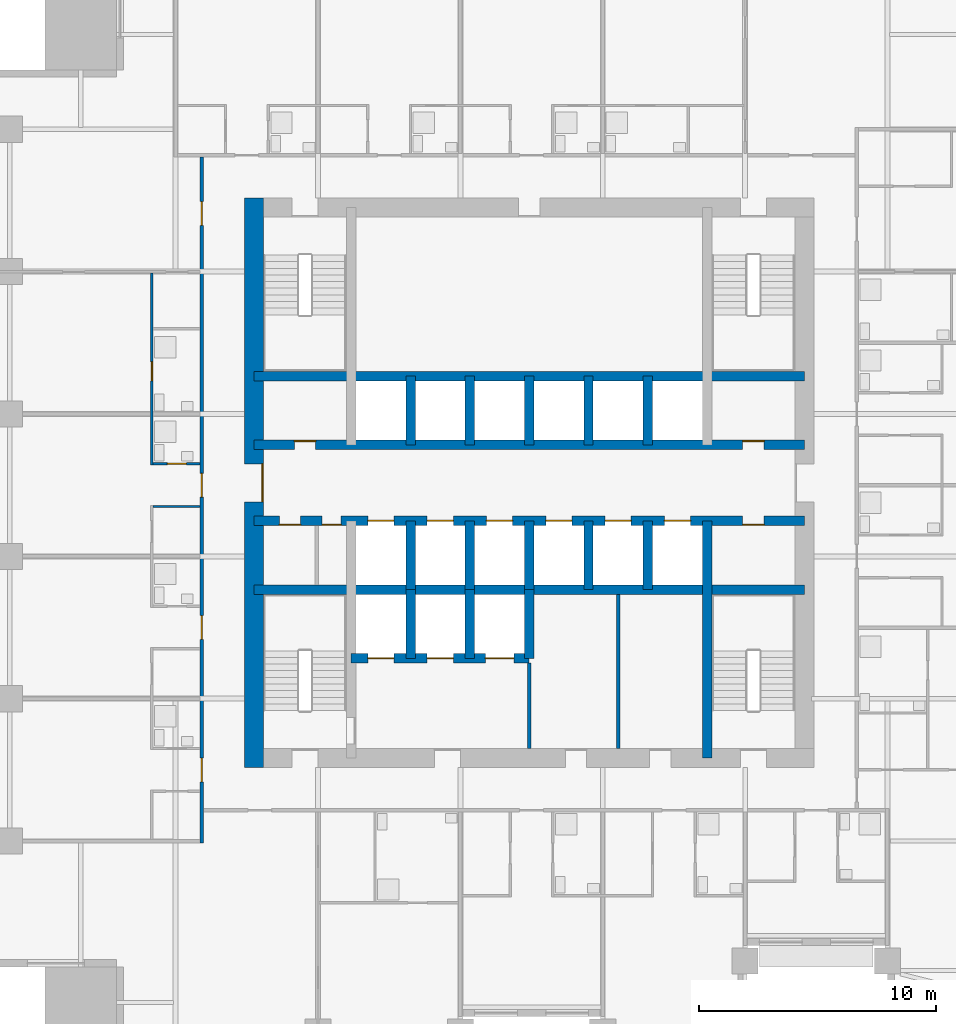
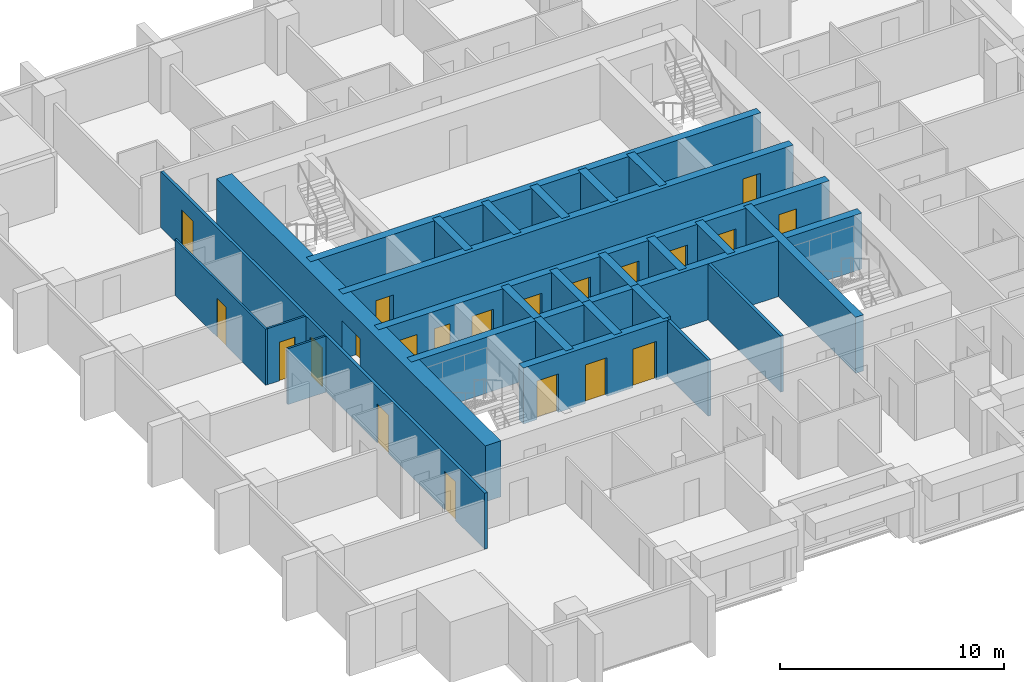
# One storey, part 5 of 11: 26 walls, 21 doors, 21 openings.
"""IFC4 building model written with IfcOpenShell, lengths in metres."""

from ifc_helpers import new_model, si_unit, direction, frame, frame_2d, origin, place, context, subcontext, project, spatial, rectangle, extrude, material, layer, layer_set, type_object, element, fill, save


model = new_model("IFC4")

# Units and contexts
model_context = context("Model", 3, precision=1e-05, world=origin(), true_north=direction((0.0, 1.0)))
body_context = subcontext(model_context, "Body", "Model", "MODEL_VIEW")
ifc_project = project(units=[si_unit("LENGTHUNIT", "METRE"), si_unit("AREAUNIT", "SQUARE_METRE"), si_unit("VOLUMEUNIT", "CUBIC_METRE"), si_unit("PLANEANGLEUNIT", "RADIAN"), si_unit("MASSUNIT", "GRAM", prefix="KILO")], contexts=[model_context])

# Site, building, storey
site_placement = place(None, origin())
site = spatial("IfcSite", under=ifc_project, at=site_placement, CompositionType="ELEMENT")
building_placement = place(site_placement, origin())
building = spatial("IfcBuilding", under=site, at=building_placement, Name="Amberfall Residences", CompositionType="ELEMENT")
storey_placement = place(building_placement, frame((0.0, 0.0, 95.199951171875)))
storey = spatial("IfcBuildingStorey", under=building, at=storey_placement, Name="L25", CompositionType="ELEMENT", Elevation=95.199951171875)

# Wall
ifc_material_1 = material(Name="Concrete C70", Category="concrete")
ifc_layer_1 = layer(ifc_material_1, 0.39990234375)
ifc_layer_set_1 = layer_set([ifc_layer_1], Name="Core wall 400 C70")
wall_type_1 = type_object("IfcWallType", Name="Core wall 400 C70", PredefinedType="SHEAR", material=ifc_layer_set_1)
wall_1_placement = place(storey_placement, frame((62.89990234375, 41.0, 0.0), z_axis=(0.0, 0.0, 1.0), x_axis=(1.0, 0.0, 0.0)))
element("IfcWall", 1, at=wall_1_placement, inside=storey, type_object=wall_type_1, Name="Core wall RW4 L25 H75", PredefinedType="SHEAR", context=body_context, shape_type="SweptSolid", body=[
    extrude(rectangle(XDim=23.2001953125, YDim=0.39990234375, at=frame_2d((11.60009765625, 0.0))), origin(), (0.0, 0.0, 1.0), 3.050048828125),
])

# Wall, openings, doors
wall_2_placement = place(storey_placement, frame((62.89990234375, 43.89990234375, 0.0), z_axis=(0.0, 0.0, 1.0), x_axis=(1.0, 0.0, 0.0)))
wall_2 = element("IfcWall", 2, at=wall_2_placement, inside=storey, type_object=wall_type_1, Name="Core wall RW4 L25 H104", PredefinedType="SHEAR", context=body_context, shape_type="SweptSolid", body=[
    extrude(rectangle(XDim=23.2001953125, YDim=0.39990234375, at=frame_2d((11.60009765625, 0.0))), origin(), (0.0, 0.0, 1.0), 3.050048828125),
])
opening_1_placement = place(wall_2_placement, frame((1.070068359375, 0.0, 0.0)))
opening_1 = element("IfcOpeningElement", 3, at=opening_1_placement, cuts=wall_2, Name="Opening RD1", PredefinedType="OPENING", context=body_context, shape_type="SweptSolid", body=[
    extrude(rectangle(XDim=0.89990234375, YDim=2.10009765625, at=frame_2d((0.449951171875, 1.050048828125))), frame((0.0, 0.2099609375, 0.0), z_axis=(0.0, -1.0, 0.0), x_axis=(1.0, 0.0, 0.0)), (0.0, 0.0, 1.0), 0.419921875),
])
opening_2_placement = place(wall_2_placement, frame((2.8701171875, 0.0, 0.0)))
opening_2 = element("IfcOpeningElement", 4, at=opening_2_placement, cuts=wall_2, Name="Opening RD2", PredefinedType="OPENING", context=body_context, shape_type="SweptSolid", body=[
    extrude(rectangle(XDim=0.800048828125, YDim=2.10009765625, at=frame_2d((0.39990234375, 1.050048828125))), frame((0.0, 0.2099609375, 0.0), z_axis=(0.0, -1.0, 0.0), x_axis=(1.0, 0.0, 0.0)), (0.0, 0.0, 1.0), 0.419921875),
])
opening_3_placement = place(wall_2_placement, frame((20.60009765625, 0.0, 0.0)))
opening_3 = element("IfcOpeningElement", 5, at=opening_3_placement, cuts=wall_2, Name="Opening RD1", PredefinedType="OPENING", context=body_context, shape_type="SweptSolid", body=[
    extrude(rectangle(XDim=0.89990234375, YDim=2.10009765625, at=frame_2d((0.449951171875, 1.050048828125))), frame((0.0, 0.2099609375, 0.0), z_axis=(0.0, -1.0, 0.0), x_axis=(1.0, 0.0, 0.0)), (0.0, 0.0, 1.0), 0.419921875),
])
opening_4_placement = place(wall_2_placement, frame((4.800048828125, 0.0, 0.0)))
opening_4 = element("IfcOpeningElement", 6, at=opening_4_placement, cuts=wall_2, Name="Opening LD1", PredefinedType="OPENING", context=body_context, shape_type="SweptSolid", body=[
    extrude(rectangle(XDim=1.10009765625, YDim=2.10009765625, at=frame_2d((0.550048828125, 1.050048828125))), frame((0.0, 0.2099609375, 0.0), z_axis=(0.0, -1.0, 0.0), x_axis=(1.0, 0.0, 0.0)), (0.0, 0.0, 1.0), 0.419921875),
])
opening_5_placement = place(wall_2_placement, frame((7.300048828125, 0.0, 0.0)))
opening_5 = element("IfcOpeningElement", 7, at=opening_5_placement, cuts=wall_2, Name="Opening LD1", PredefinedType="OPENING", context=body_context, shape_type="SweptSolid", body=[
    extrude(rectangle(XDim=1.10009765625, YDim=2.10009765625, at=frame_2d((0.550048828125, 1.050048828125))), frame((0.0, 0.2099609375, 0.0), z_axis=(0.0, -1.0, 0.0), x_axis=(1.0, 0.0, 0.0)), (0.0, 0.0, 1.0), 0.419921875),
])
opening_6_placement = place(wall_2_placement, frame((9.800048828125, 0.0, 0.0)))
opening_6 = element("IfcOpeningElement", 8, at=opening_6_placement, cuts=wall_2, Name="Opening LD1", PredefinedType="OPENING", context=body_context, shape_type="SweptSolid", body=[
    extrude(rectangle(XDim=1.10009765625, YDim=2.10009765625, at=frame_2d((0.550048828125, 1.050048828125))), frame((0.0, 0.2099609375, 0.0), z_axis=(0.0, -1.0, 0.0), x_axis=(1.0, 0.0, 0.0)), (0.0, 0.0, 1.0), 0.419921875),
])
opening_7_placement = place(wall_2_placement, frame((12.300048828125, 0.0, 0.0)))
opening_7 = element("IfcOpeningElement", 9, at=opening_7_placement, cuts=wall_2, Name="Opening LD1", PredefinedType="OPENING", context=body_context, shape_type="SweptSolid", body=[
    extrude(rectangle(XDim=1.10009765625, YDim=2.10009765625, at=frame_2d((0.550048828125, 1.050048828125))), frame((0.0, 0.2099609375, 0.0), z_axis=(0.0, -1.0, 0.0), x_axis=(1.0, 0.0, 0.0)), (0.0, 0.0, 1.0), 0.419921875),
])
opening_8_placement = place(wall_2_placement, frame((14.800048828125, 0.0, 0.0)))
opening_8 = element("IfcOpeningElement", 10, at=opening_8_placement, cuts=wall_2, Name="Opening LD1", PredefinedType="OPENING", context=body_context, shape_type="SweptSolid", body=[
    extrude(rectangle(XDim=1.10009765625, YDim=2.10009765625, at=frame_2d((0.550048828125, 1.050048828125))), frame((0.0, 0.2099609375, 0.0), z_axis=(0.0, -1.0, 0.0), x_axis=(1.0, 0.0, 0.0)), (0.0, 0.0, 1.0), 0.419921875),
])
opening_9_placement = place(wall_2_placement, frame((17.300048828125, 0.0, 0.0)))
opening_9 = element("IfcOpeningElement", 11, at=opening_9_placement, cuts=wall_2, Name="Opening LD1", PredefinedType="OPENING", context=body_context, shape_type="SweptSolid", body=[
    extrude(rectangle(XDim=1.10009765625, YDim=2.10009765625, at=frame_2d((0.550048828125, 1.050048828125))), frame((0.0, 0.2099609375, 0.0), z_axis=(0.0, -1.0, 0.0), x_axis=(1.0, 0.0, 0.0)), (0.0, 0.0, 1.0), 0.419921875),
])
ifc_material_2 = material(Name="Steel fire door set", Category="steel")
door_type_1 = type_object("IfcDoorType", Name="Lift landing door 1100 x 2100", OperationType="DOUBLE_DOOR_SLIDING", PredefinedType="DOOR", material=ifc_material_2)
door_1_placement = place(opening_4_placement, origin())
door_1 = element("IfcDoor", 12, at=door_1_placement, inside=storey, type_object=door_type_1, Name="Landing door LP1 L25", OperationType="DOUBLE_DOOR_SLIDING", OverallHeight=2.10009765625, OverallWidth=1.10009765625, PredefinedType="DOOR", context=body_context, shape_type="SweptSolid", body=[
    extrude(rectangle(XDim=1.10009765625, YDim=2.10009765625, at=frame_2d((0.550048828125, 1.050048828125))), frame((0.0, 0.02490234375, 0.0), z_axis=(0.0, -1.0, 0.0), x_axis=(1.0, 0.0, 0.0)), (0.0, 0.0, 1.0), 0.050048828125),
])
fill(opening_4, door_1)
door_2_placement = place(opening_5_placement, origin())
door_2 = element("IfcDoor", 13, at=door_2_placement, inside=storey, type_object=door_type_1, Name="Landing door LP2 L25", OperationType="DOUBLE_DOOR_SLIDING", OverallHeight=2.10009765625, OverallWidth=1.10009765625, PredefinedType="DOOR", context=body_context, shape_type="SweptSolid", body=[
    extrude(rectangle(XDim=1.10009765625, YDim=2.10009765625, at=frame_2d((0.550048828125, 1.050048828125))), frame((0.0, 0.02490234375, 0.0), z_axis=(0.0, -1.0, 0.0), x_axis=(1.0, 0.0, 0.0)), (0.0, 0.0, 1.0), 0.050048828125),
])
fill(opening_5, door_2)
door_3_placement = place(opening_6_placement, origin())
door_3 = element("IfcDoor", 14, at=door_3_placement, inside=storey, type_object=door_type_1, Name="Landing door LP3 L25", OperationType="DOUBLE_DOOR_SLIDING", OverallHeight=2.10009765625, OverallWidth=1.10009765625, PredefinedType="DOOR", context=body_context, shape_type="SweptSolid", body=[
    extrude(rectangle(XDim=1.10009765625, YDim=2.10009765625, at=frame_2d((0.550048828125, 1.050048828125))), frame((0.0, 0.02490234375, 0.0), z_axis=(0.0, -1.0, 0.0), x_axis=(1.0, 0.0, 0.0)), (0.0, 0.0, 1.0), 0.050048828125),
])
fill(opening_6, door_3)
door_4_placement = place(opening_7_placement, origin())
door_4 = element("IfcDoor", 15, at=door_4_placement, inside=storey, type_object=door_type_1, Name="Landing door LP4 L25", OperationType="DOUBLE_DOOR_SLIDING", OverallHeight=2.10009765625, OverallWidth=1.10009765625, PredefinedType="DOOR", context=body_context, shape_type="SweptSolid", body=[
    extrude(rectangle(XDim=1.10009765625, YDim=2.10009765625, at=frame_2d((0.550048828125, 1.050048828125))), frame((0.0, 0.02490234375, 0.0), z_axis=(0.0, -1.0, 0.0), x_axis=(1.0, 0.0, 0.0)), (0.0, 0.0, 1.0), 0.050048828125),
])
fill(opening_7, door_4)
door_5_placement = place(opening_8_placement, origin())
door_5 = element("IfcDoor", 16, at=door_5_placement, inside=storey, type_object=door_type_1, Name="Landing door LP5 L25", OperationType="DOUBLE_DOOR_SLIDING", OverallHeight=2.10009765625, OverallWidth=1.10009765625, PredefinedType="DOOR", context=body_context, shape_type="SweptSolid", body=[
    extrude(rectangle(XDim=1.10009765625, YDim=2.10009765625, at=frame_2d((0.550048828125, 1.050048828125))), frame((0.0, 0.02490234375, 0.0), z_axis=(0.0, -1.0, 0.0), x_axis=(1.0, 0.0, 0.0)), (0.0, 0.0, 1.0), 0.050048828125),
])
fill(opening_8, door_5)
door_6_placement = place(opening_9_placement, origin())
door_6 = element("IfcDoor", 17, at=door_6_placement, inside=storey, type_object=door_type_1, Name="Landing door LP6 L25", OperationType="DOUBLE_DOOR_SLIDING", OverallHeight=2.10009765625, OverallWidth=1.10009765625, PredefinedType="DOOR", context=body_context, shape_type="SweptSolid", body=[
    extrude(rectangle(XDim=1.10009765625, YDim=2.10009765625, at=frame_2d((0.550048828125, 1.050048828125))), frame((0.0, 0.02490234375, 0.0), z_axis=(0.0, -1.0, 0.0), x_axis=(1.0, 0.0, 0.0)), (0.0, 0.0, 1.0), 0.050048828125),
])
fill(opening_9, door_6)
door_type_2 = type_object("IfcDoorType", Name="Service room door 800 x 2100", OperationType="SINGLE_SWING_LEFT", PredefinedType="DOOR", material=ifc_material_2)
door_7_placement = place(opening_2_placement, origin())
door_7 = element("IfcDoor", 18, at=door_7_placement, inside=storey, type_object=door_type_2, Name="RD2 L25", OperationType="SINGLE_SWING_RIGHT", OverallHeight=2.10009765625, OverallWidth=0.800048828125, PredefinedType="DOOR", context=body_context, shape_type="SweptSolid", body=[
    extrude(rectangle(XDim=0.800048828125, YDim=2.10009765625, at=frame_2d((0.39990234375, 1.050048828125))), frame((0.0, -0.1376953125, 0.0), z_axis=(0.0, -1.0, 0.0), x_axis=(1.0, 0.0, 0.0)), (0.0, 0.0, 1.0), 0.050048828125),
])
fill(opening_2, door_7)
door_type_3 = type_object("IfcDoorType", Name="Service room door 900 x 2100", OperationType="SINGLE_SWING_LEFT", PredefinedType="DOOR", material=ifc_material_2)
door_8_placement = place(opening_1_placement, origin())
door_8 = element("IfcDoor", 19, at=door_8_placement, inside=storey, type_object=door_type_3, Name="RD1 L25", OperationType="SINGLE_SWING_LEFT", OverallHeight=2.10009765625, OverallWidth=0.89990234375, PredefinedType="DOOR", context=body_context, shape_type="SweptSolid", body=[
    extrude(rectangle(XDim=0.89990234375, YDim=2.10009765625, at=frame_2d((0.449951171875, 1.050048828125))), frame((0.0, -0.1376953125, 0.0), z_axis=(0.0, -1.0, 0.0), x_axis=(1.0, 0.0, 0.0)), (0.0, 0.0, 1.0), 0.050048828125),
])
fill(opening_1, door_8)
door_9_placement = place(opening_3_placement, origin())
door_9 = element("IfcDoor", 20, at=door_9_placement, inside=storey, type_object=door_type_3, Name="RD1 L25", OperationType="SINGLE_SWING_LEFT", OverallHeight=2.10009765625, OverallWidth=0.89990234375, PredefinedType="DOOR", context=body_context, shape_type="SweptSolid", body=[
    extrude(rectangle(XDim=0.89990234375, YDim=2.10009765625, at=frame_2d((0.449951171875, 1.050048828125))), frame((0.0, -0.1376953125, 0.0), z_axis=(0.0, -1.0, 0.0), x_axis=(1.0, 0.0, 0.0)), (0.0, 0.0, 1.0), 0.050048828125),
])
fill(opening_3, door_9)

wall_3_placement = place(storey_placement, frame((62.89990234375, 47.10009765625, 0.0), z_axis=(0.0, 0.0, 1.0), x_axis=(1.0, 0.0, 0.0)))
wall_3 = element("IfcWall", 21, at=wall_3_placement, inside=storey, type_object=wall_type_1, Name="Core wall RW4 L25 H136", PredefinedType="SHEAR", context=body_context, shape_type="SweptSolid", body=[
    extrude(rectangle(XDim=23.2001953125, YDim=0.39990234375, at=frame_2d((11.60009765625, 0.0))), origin(), (0.0, 0.0, 1.0), 3.050048828125),
])
opening_10_placement = place(wall_3_placement, frame((1.699951171875, 0.0, 0.0)))
opening_10 = element("IfcOpeningElement", 22, at=opening_10_placement, cuts=wall_3, Name="Opening RD1", PredefinedType="OPENING", context=body_context, shape_type="SweptSolid", body=[
    extrude(rectangle(XDim=0.89990234375, YDim=2.10009765625, at=frame_2d((0.449951171875, 1.050048828125))), frame((0.0, 0.2099609375, 0.0), z_axis=(0.0, -1.0, 0.0), x_axis=(1.0, 0.0, 0.0)), (0.0, 0.0, 1.0), 0.419921875),
])
opening_11_placement = place(wall_3_placement, frame((20.60009765625, 0.0, 0.0)))
opening_11 = element("IfcOpeningElement", 23, at=opening_11_placement, cuts=wall_3, Name="Opening RD1", PredefinedType="OPENING", context=body_context, shape_type="SweptSolid", body=[
    extrude(rectangle(XDim=0.89990234375, YDim=2.10009765625, at=frame_2d((0.449951171875, 1.050048828125))), frame((0.0, 0.2099609375, 0.0), z_axis=(0.0, -1.0, 0.0), x_axis=(1.0, 0.0, 0.0)), (0.0, 0.0, 1.0), 0.419921875),
])
door_10_placement = place(opening_10_placement, origin())
door_10 = element("IfcDoor", 24, at=door_10_placement, inside=storey, type_object=door_type_3, Name="RD1 L25", OperationType="SINGLE_SWING_LEFT", OverallHeight=2.10009765625, OverallWidth=0.89990234375, PredefinedType="DOOR", context=body_context, shape_type="SweptSolid", body=[
    extrude(rectangle(XDim=0.89990234375, YDim=2.10009765625, at=frame_2d((0.449951171875, 1.050048828125))), frame((0.0, 0.1875, 0.0), z_axis=(0.0, -1.0, 0.0), x_axis=(1.0, 0.0, 0.0)), (0.0, 0.0, 1.0), 0.050048828125),
])
fill(opening_10, door_10)
door_11_placement = place(opening_11_placement, origin())
door_11 = element("IfcDoor", 25, at=door_11_placement, inside=storey, type_object=door_type_3, Name="RD1 L25", OperationType="SINGLE_SWING_LEFT", OverallHeight=2.10009765625, OverallWidth=0.89990234375, PredefinedType="DOOR", context=body_context, shape_type="SweptSolid", body=[
    extrude(rectangle(XDim=0.89990234375, YDim=2.10009765625, at=frame_2d((0.449951171875, 1.050048828125))), frame((0.0, 0.1875, 0.0), z_axis=(0.0, -1.0, 0.0), x_axis=(1.0, 0.0, 0.0)), (0.0, 0.0, 1.0), 0.050048828125),
])
fill(opening_11, door_11)

# Walls
wall_4_placement = place(storey_placement, frame((62.89990234375, 50.0, 0.0), z_axis=(0.0, 0.0, 1.0), x_axis=(1.0, 0.0, 0.0)))
element("IfcWall", 26, at=wall_4_placement, inside=storey, type_object=wall_type_1, Name="Core wall RW4 L25 H165", PredefinedType="SHEAR", context=body_context, shape_type="SweptSolid", body=[
    extrude(rectangle(XDim=23.2001953125, YDim=0.39990234375, at=frame_2d((11.60009765625, 0.0))), origin(), (0.0, 0.0, 1.0), 3.050048828125),
])
wall_5_placement = place(storey_placement, frame((82.0, 33.89990234375, 0.0), z_axis=(0.0, 0.0, 1.0), x_axis=(0.0, 1.0, 0.0)))
element("IfcWall", 27, at=wall_5_placement, inside=storey, type_object=wall_type_1, Name="Core wall RW4 L25 V195S", PredefinedType="SHEAR", context=body_context, shape_type="SweptSolid", body=[
    extrude(rectangle(XDim=10.0, YDim=0.39990234375, at=frame_2d((5.0, 0.0))), origin(), (0.0, 0.0, 1.0), 3.050048828125),
])
for number, where, z_axis, x_axis, name in (
    (28, (69.5, 41.0, 0.0), (0.0, 0.0, 1.0), (0.0, 1.0, 0.0), "Core wall RW4 L25 LPD1"),
    (29, (69.5, 47.10009765625, 0.0), (0.0, 0.0, 1.0), (0.0, 1.0, 0.0), "Core wall RW4 L25 HPD1"),
    (30, (72.0, 41.0, 0.0), (0.0, 0.0, 1.0), (0.0, 1.0, 0.0), "Core wall RW4 L25 LPD2"),
    (31, (72.0, 47.10009765625, 0.0), (0.0, 0.0, 1.0), (0.0, 1.0, 0.0), "Core wall RW4 L25 HPD2"),
    (32, (74.5, 41.0, 0.0), (0.0, 0.0, 1.0), (0.0, 1.0, 0.0), "Core wall RW4 L25 LPD3"),
    (33, (74.5, 47.10009765625, 0.0), (0.0, 0.0, 1.0), (0.0, 1.0, 0.0), "Core wall RW4 L25 HPD3"),
    (34, (77.0, 41.0, 0.0), (0.0, 0.0, 1.0), (0.0, 1.0, 0.0), "Core wall RW4 L25 LPD4"),
    (35, (77.0, 47.10009765625, 0.0), (0.0, 0.0, 1.0), (0.0, 1.0, 0.0), "Core wall RW4 L25 HPD4"),
    (36, (79.5, 41.0, 0.0), (0.0, 0.0, 1.0), (0.0, 1.0, 0.0), "Core wall RW4 L25 LPD5"),
    (37, (79.5, 47.10009765625, 0.0), (0.0, 0.0, 1.0), (0.0, 1.0, 0.0), "Core wall RW4 L25 HPD5"),
):
    element("IfcWall", number, at=place(storey_placement, frame(where, z_axis=z_axis, x_axis=x_axis)), inside=storey, type_object=wall_type_1, Name=name, PredefinedType="SHEAR", context=body_context, shape_type="SweptSolid", body=[
        extrude(rectangle(XDim=2.89990234375, YDim=0.39990234375, at=frame_2d((1.449951171875, 0.0))), origin(), (0.0, 0.0, 1.0), 3.050048828125),
    ])

# Wall, openings, doors
wall_6_placement = place(storey_placement, frame((67.0, 38.10009765625, 0.0), z_axis=(0.0, 0.0, 1.0), x_axis=(1.0, 0.0, 0.0)))
wall_6 = element("IfcWall", 38, at=wall_6_placement, inside=storey, type_object=wall_type_1, Name="Core wall RW4 L25 FFF", PredefinedType="SHEAR", context=body_context, shape_type="SweptSolid", body=[
    extrude(rectangle(XDim=7.5, YDim=0.39990234375, at=frame_2d((3.75, 0.0))), origin(), (0.0, 0.0, 1.0), 3.050048828125),
])
opening_12_placement = place(wall_6_placement, frame((0.699951171875, 0.0, 0.0)))
opening_12 = element("IfcOpeningElement", 39, at=opening_12_placement, cuts=wall_6, Name="Opening LD2", PredefinedType="OPENING", context=body_context, shape_type="SweptSolid", body=[
    extrude(rectangle(XDim=1.10009765625, YDim=2.10009765625, at=frame_2d((0.550048828125, 1.050048828125))), frame((0.0, 0.2099609375, 0.0), z_axis=(0.0, -1.0, 0.0), x_axis=(1.0, 0.0, 0.0)), (0.0, 0.0, 1.0), 0.419921875),
])
opening_13_placement = place(wall_6_placement, frame((3.199951171875, 0.0, 0.0)))
opening_13 = element("IfcOpeningElement", 40, at=opening_13_placement, cuts=wall_6, Name="Opening LD2", PredefinedType="OPENING", context=body_context, shape_type="SweptSolid", body=[
    extrude(rectangle(XDim=1.10009765625, YDim=2.10009765625, at=frame_2d((0.550048828125, 1.050048828125))), frame((0.0, 0.2099609375, 0.0), z_axis=(0.0, -1.0, 0.0), x_axis=(1.0, 0.0, 0.0)), (0.0, 0.0, 1.0), 0.419921875),
])
opening_14_placement = place(wall_6_placement, frame((5.64990234375, 0.0, 0.0)))
opening_14 = element("IfcOpeningElement", 41, at=opening_14_placement, cuts=wall_6, Name="Opening LD3", PredefinedType="OPENING", context=body_context, shape_type="SweptSolid", body=[
    extrude(rectangle(XDim=1.199951171875, YDim=2.10009765625, at=frame_2d((0.60009765625, 1.050048828125))), frame((0.0, 0.2099609375, 0.0), z_axis=(0.0, -1.0, 0.0), x_axis=(1.0, 0.0, 0.0)), (0.0, 0.0, 1.0), 0.419921875),
])
door_type_4 = type_object("IfcDoorType", Name="Firefighting lift landing door 1100 x 2100", OperationType="DOUBLE_DOOR_SLIDING", PredefinedType="DOOR", material=ifc_material_2)
door_12_placement = place(opening_12_placement, origin())
door_12 = element("IfcDoor", 42, at=door_12_placement, inside=storey, type_object=door_type_4, Name="Landing door FF1 L25", OperationType="DOUBLE_DOOR_SLIDING", OverallHeight=2.10009765625, OverallWidth=1.10009765625, PredefinedType="DOOR", context=body_context, shape_type="SweptSolid", body=[
    extrude(rectangle(XDim=1.10009765625, YDim=2.10009765625, at=frame_2d((0.550048828125, 1.050048828125))), frame((0.0, 0.02490234375, 0.0), z_axis=(0.0, -1.0, 0.0), x_axis=(1.0, 0.0, 0.0)), (0.0, 0.0, 1.0), 0.050048828125),
])
fill(opening_12, door_12)
door_13_placement = place(opening_13_placement, origin())
door_13 = element("IfcDoor", 43, at=door_13_placement, inside=storey, type_object=door_type_4, Name="Landing door FF2 L25", OperationType="DOUBLE_DOOR_SLIDING", OverallHeight=2.10009765625, OverallWidth=1.10009765625, PredefinedType="DOOR", context=body_context, shape_type="SweptSolid", body=[
    extrude(rectangle(XDim=1.10009765625, YDim=2.10009765625, at=frame_2d((0.550048828125, 1.050048828125))), frame((0.0, 0.02490234375, 0.0), z_axis=(0.0, -1.0, 0.0), x_axis=(1.0, 0.0, 0.0)), (0.0, 0.0, 1.0), 0.050048828125),
])
fill(opening_13, door_13)
door_type_5 = type_object("IfcDoorType", Name="Service lift landing door 1200 x 2100", OperationType="DOUBLE_DOOR_SLIDING", PredefinedType="DOOR", material=ifc_material_2)
door_14_placement = place(opening_14_placement, origin())
door_14 = element("IfcDoor", 44, at=door_14_placement, inside=storey, type_object=door_type_5, Name="Landing door SL1 L25", OperationType="DOUBLE_DOOR_SLIDING", OverallHeight=2.10009765625, OverallWidth=1.199951171875, PredefinedType="DOOR", context=body_context, shape_type="SweptSolid", body=[
    extrude(rectangle(XDim=1.199951171875, YDim=2.10009765625, at=frame_2d((0.60009765625, 1.050048828125))), frame((0.0, 0.02490234375, 0.0), z_axis=(0.0, -1.0, 0.0), x_axis=(1.0, 0.0, 0.0)), (0.0, 0.0, 1.0), 0.050048828125),
])
fill(opening_14, door_14)

# Walls
for number, where, z_axis, x_axis, name in (
    (45, (69.5, 38.10009765625, 0.0), (0.0, 0.0, 1.0), (0.0, 1.0, 0.0), "Core wall RW4 L25 FFD1"),
    (46, (72.0, 38.10009765625, 0.0), (0.0, 0.0, 1.0), (0.0, 1.0, 0.0), "Core wall RW4 L25 FFD2"),
    (47, (74.5, 38.10009765625, 0.0), (0.0, 0.0, 1.0), (0.0, 1.0, 0.0), "Core wall RW4 L25 FFD3"),
):
    element("IfcWall", number, at=place(storey_placement, frame(where, z_axis=z_axis, x_axis=x_axis)), inside=storey, type_object=wall_type_1, Name=name, PredefinedType="SHEAR", context=body_context, shape_type="SweptSolid", body=[
        extrude(rectangle(XDim=2.89990234375, YDim=0.39990234375, at=frame_2d((1.449951171875, 0.0))), origin(), (0.0, 0.0, 1.0), 3.050048828125),
    ])

# Wall, opening, door
ifc_layer_2 = layer(ifc_material_1, 0.800048828125)
ifc_layer_set_2 = layer_set([ifc_layer_2], Name="Core wall 800 C70")
wall_type_2 = type_object("IfcWallType", Name="Core wall 800 C70", PredefinedType="SHEAR", material=ifc_layer_set_2)
wall_7_placement = place(storey_placement, frame((62.89990234375, 33.5, 0.0), z_axis=(0.0, 0.0, 1.0), x_axis=(0.0, 1.0, 0.0)))
wall_7 = element("IfcWall", 48, at=wall_7_placement, inside=storey, type_object=wall_type_2, Name="Core wall RW3 L25 OW", PredefinedType="SHEAR", context=body_context, shape_type="SweptSolid", body=[
    extrude(rectangle(XDim=24.0, YDim=0.800048828125, at=frame_2d((12.0, 0.0))), origin(), (0.0, 0.0, 1.0), 3.050048828125),
])
opening_15_placement = place(wall_7_placement, frame((11.199951171875, 0.0, 0.0)))
opening_15 = element("IfcOpeningElement", 49, at=opening_15_placement, cuts=wall_7, Name="Opening LB1", PredefinedType="OPENING", context=body_context, shape_type="SweptSolid", body=[
    extrude(rectangle(XDim=1.60009765625, YDim=2.10009765625, at=frame_2d((0.800048828125, 1.050048828125))), frame((0.0, 0.409912109375, 0.0), z_axis=(0.0, -1.0, 0.0), x_axis=(1.0, 0.0, 0.0)), (0.0, 0.0, 1.0), 0.820068359375),
])
door_type_6 = type_object("IfcDoorType", Name="Lift lobby double door 1600 x 2100", OperationType="DOUBLE_DOOR_SINGLE_SWING", PredefinedType="DOOR", material=ifc_material_2)
door_15_placement = place(opening_15_placement, origin())
door_15 = element("IfcDoor", 50, at=door_15_placement, inside=storey, type_object=door_type_6, Name="LB1 L25", OperationType="DOUBLE_DOOR_SINGLE_SWING", OverallHeight=2.10009765625, OverallWidth=1.60009765625, PredefinedType="DOOR", context=body_context, shape_type="SweptSolid", body=[
    extrude(rectangle(XDim=1.60009765625, YDim=2.10009765625, at=frame_2d((0.800048828125, 1.050048828125))), frame((0.0, -0.33740234375, 0.0), z_axis=(0.0, -1.0, 0.0), x_axis=(1.0, 0.0, 0.0)), (0.0, 0.0, 1.0), 0.050048828125),
])
fill(opening_15, door_15)

ifc_material_3 = material(Name="Gypsum board on metal stud")
ifc_layer_3 = layer(ifc_material_3, 0.10009765625)
ifc_layer_set_3 = layer_set([ifc_layer_3], Name="Flat partition 100")
wall_type_3 = type_object("IfcWallType", Name="Flat partition 100", PredefinedType="PARTITIONING", material=ifc_layer_set_3)
wall_8_placement = place(storey_placement, frame((58.60009765625, 54.35009765625, 0.0), z_axis=(0.0, 0.0, 1.0), x_axis=(0.0, -1.0, 0.0)))
wall_8 = element("IfcWall", 51, at=wall_8_placement, inside=storey, type_object=wall_type_3, Name="Partition 004", PredefinedType="PARTITIONING", context=body_context, shape_type="SweptSolid", body=[
    extrude(rectangle(XDim=8.10009765625, YDim=0.10009765625, at=frame_2d((4.050048828125, 0.0))), origin(), (0.0, 0.0, 1.0), 3.050048828125),
])
opening_16_placement = place(wall_8_placement, frame((3.75, 0.0, 0.0)))
opening_16 = element("IfcOpeningElement", 52, at=opening_16_placement, cuts=wall_8, Name="Opening D42", PredefinedType="OPENING", context=body_context, shape_type="SweptSolid", body=[
    extrude(rectangle(XDim=0.800048828125, YDim=2.10009765625, at=frame_2d((0.39990234375, 1.050048828125))), frame((0.0, 0.06005859375, 0.0), z_axis=(0.0, -1.0, 0.0), x_axis=(1.0, 0.0, 0.0)), (0.0, 0.0, 1.0), 0.1201171875),
])
ifc_material_4 = material(Name="Timber", Category="wood")
door_type_7 = type_object("IfcDoorType", Name="Bathroom door 800 x 2100", OperationType="SINGLE_SWING_LEFT", PredefinedType="DOOR", material=ifc_material_4)
door_16_placement = place(opening_16_placement, origin())
door_16 = element("IfcDoor", 53, at=door_16_placement, inside=storey, type_object=door_type_7, Name="Door 2516 bath1", OperationType="SINGLE_SWING_LEFT", OverallHeight=2.10009765625, OverallWidth=0.800048828125, PredefinedType="DOOR", context=body_context, shape_type="SweptSolid", body=[
    extrude(rectangle(XDim=0.800048828125, YDim=2.10009765625, at=frame_2d((0.39990234375, 1.050048828125))), frame((0.0, 0.02490234375, 0.0), z_axis=(0.0, -1.0, 0.0), x_axis=(1.0, 0.0, 0.0)), (0.0, 0.0, 1.0), 0.050048828125),
])
fill(opening_16, door_16)

wall_9_placement = place(storey_placement, frame((58.64990234375, 46.300048828125, 0.0), z_axis=(0.0, 0.0, 1.0), x_axis=(1.0, 0.0, 0.0)))
wall_9 = element("IfcWall", 54, at=wall_9_placement, inside=storey, type_object=wall_type_3, Name="Partition 037", PredefinedType="PARTITIONING", context=body_context, shape_type="SweptSolid", body=[
    extrude(rectangle(XDim=1.97509765625, YDim=0.10009765625, at=frame_2d((0.987548828125, 0.0))), origin(), (0.0, 0.0, 1.0), 3.050048828125),
])
opening_17_placement = place(wall_9_placement, frame((0.60009765625, 0.0, 0.0)))
opening_17 = element("IfcOpeningElement", 55, at=opening_17_placement, cuts=wall_9, Name="Opening D42", PredefinedType="OPENING", context=body_context, shape_type="SweptSolid", body=[
    extrude(rectangle(XDim=0.800048828125, YDim=2.10009765625, at=frame_2d((0.39990234375, 1.050048828125))), frame((0.0, 0.06005859375, 0.0), z_axis=(0.0, -1.0, 0.0), x_axis=(1.0, 0.0, 0.0)), (0.0, 0.0, 1.0), 0.1201171875),
])
door_17_placement = place(opening_17_placement, origin())
door_17 = element("IfcDoor", 56, at=door_17_placement, inside=storey, type_object=door_type_7, Name="Door 2515 bath1", OperationType="SINGLE_SWING_LEFT", OverallHeight=2.10009765625, OverallWidth=0.800048828125, PredefinedType="DOOR", context=body_context, shape_type="SweptSolid", body=[
    extrude(rectangle(XDim=0.800048828125, YDim=2.10009765625, at=frame_2d((0.39990234375, 1.050048828125))), frame((0.0, 0.02490234375, 0.0), z_axis=(0.0, -1.0, 0.0), x_axis=(1.0, 0.0, 0.0)), (0.0, 0.0, 1.0), 0.050048828125),
])
fill(opening_17, door_17)

# Wall
wall_10_placement = place(storey_placement, frame((58.64990234375, 44.5, 0.0), z_axis=(0.0, 0.0, 1.0), x_axis=(1.0, 0.0, 0.0)))
element("IfcWall", 57, at=wall_10_placement, inside=storey, type_object=wall_type_3, Name="Partition 038", PredefinedType="PARTITIONING", context=body_context, shape_type="SweptSolid", body=[
    extrude(rectangle(XDim=1.97509765625, YDim=0.10009765625, at=frame_2d((0.987548828125, 0.0))), origin(), (0.0, 0.0, 1.0), 3.050048828125),
])

# Wall, openings, doors
ifc_material_5 = material(Name="Blockwork, plastered", Category="masonry")
ifc_layer_4 = layer(ifc_material_5, 0.14990234375)
ifc_layer_set_4 = layer_set([ifc_layer_4], Name="Flat separating wall 150")
wall_type_4 = type_object("IfcWallType", Name="Flat separating wall 150", PredefinedType="PARTITIONING", material=ifc_layer_set_4)
wall_11_placement = place(storey_placement, frame((60.699951171875, 30.324951171875, 0.0), z_axis=(0.0, 0.0, 1.0), x_axis=(0.0, 1.0, 0.0)))
wall_11 = element("IfcWall", 58, at=wall_11_placement, inside=storey, type_object=wall_type_4, Name="Separating wall 054", PredefinedType="PARTITIONING", context=body_context, shape_type="SweptSolid", body=[
    extrude(rectangle(XDim=28.900146484375, YDim=0.14990234375, at=frame_2d((14.4501953125, 0.0))), origin(), (0.0, 0.0, 1.0), 3.050048828125),
])
opening_18_placement = place(wall_11_placement, frame((2.574951171875, 0.0, 0.0)))
opening_18 = element("IfcOpeningElement", 59, at=opening_18_placement, cuts=wall_11, Name="Opening D40", PredefinedType="OPENING", context=body_context, shape_type="SweptSolid", body=[
    extrude(rectangle(XDim=1.0, YDim=2.10009765625, at=frame_2d((0.5, 1.050048828125))), frame((0.0, 0.0849609375, 0.0), z_axis=(0.0, -1.0, 0.0), x_axis=(1.0, 0.0, 0.0)), (0.0, 0.0, 1.0), 0.169921875),
])
opening_19_placement = place(wall_11_placement, frame((8.574951171875, 0.0, 0.0)))
opening_19 = element("IfcOpeningElement", 60, at=opening_19_placement, cuts=wall_11, Name="Opening D40", PredefinedType="OPENING", context=body_context, shape_type="SweptSolid", body=[
    extrude(rectangle(XDim=1.0, YDim=2.10009765625, at=frame_2d((0.5, 1.050048828125))), frame((0.0, 0.0849609375, 0.0), z_axis=(0.0, -1.0, 0.0), x_axis=(1.0, 0.0, 0.0)), (0.0, 0.0, 1.0), 0.169921875),
])
opening_20_placement = place(wall_11_placement, frame((14.574951171875, 0.0, 0.0)))
opening_20 = element("IfcOpeningElement", 61, at=opening_20_placement, cuts=wall_11, Name="Opening D40", PredefinedType="OPENING", context=body_context, shape_type="SweptSolid", body=[
    extrude(rectangle(XDim=1.0, YDim=2.10009765625, at=frame_2d((0.5, 1.050048828125))), frame((0.0, 0.0849609375, 0.0), z_axis=(0.0, -1.0, 0.0), x_axis=(1.0, 0.0, 0.0)), (0.0, 0.0, 1.0), 0.169921875),
])
opening_21_placement = place(wall_11_placement, frame((26.02490234375, 0.0, 0.0)))
opening_21 = element("IfcOpeningElement", 62, at=opening_21_placement, cuts=wall_11, Name="Opening D40", PredefinedType="OPENING", context=body_context, shape_type="SweptSolid", body=[
    extrude(rectangle(XDim=1.0, YDim=2.10009765625, at=frame_2d((0.5, 1.050048828125))), frame((0.0, 0.0849609375, 0.0), z_axis=(0.0, -1.0, 0.0), x_axis=(1.0, 0.0, 0.0)), (0.0, 0.0, 1.0), 0.169921875),
])
ifc_material_6 = material(Name="Timber, fire-rated", Category="wood")
door_type_8 = type_object("IfcDoorType", Name="Flat entrance door FD60 1000 x 2100", OperationType="SINGLE_SWING_LEFT", PredefinedType="DOOR", material=ifc_material_6)
door_18_placement = place(opening_18_placement, origin())
door_18 = element("IfcDoor", 63, at=door_18_placement, inside=storey, type_object=door_type_8, Name="Door 2513 entrance", OperationType="SINGLE_SWING_LEFT", OverallHeight=2.10009765625, OverallWidth=1.0, PredefinedType="DOOR", context=body_context, shape_type="SweptSolid", body=[
    extrude(rectangle(XDim=1.0, YDim=2.10009765625, at=frame_2d((0.5, 1.050048828125))), frame((0.0, 0.02490234375, 0.0), z_axis=(0.0, -1.0, 0.0), x_axis=(1.0, 0.0, 0.0)), (0.0, 0.0, 1.0), 0.050048828125),
])
fill(opening_18, door_18)
door_19_placement = place(opening_19_placement, origin())
door_19 = element("IfcDoor", 64, at=door_19_placement, inside=storey, type_object=door_type_8, Name="Door 2514 entrance", OperationType="SINGLE_SWING_LEFT", OverallHeight=2.10009765625, OverallWidth=1.0, PredefinedType="DOOR", context=body_context, shape_type="SweptSolid", body=[
    extrude(rectangle(XDim=1.0, YDim=2.10009765625, at=frame_2d((0.5, 1.050048828125))), frame((0.0, 0.02490234375, 0.0), z_axis=(0.0, -1.0, 0.0), x_axis=(1.0, 0.0, 0.0)), (0.0, 0.0, 1.0), 0.050048828125),
])
fill(opening_19, door_19)
door_20_placement = place(opening_20_placement, origin())
door_20 = element("IfcDoor", 65, at=door_20_placement, inside=storey, type_object=door_type_8, Name="Door 2515 entrance", OperationType="SINGLE_SWING_LEFT", OverallHeight=2.10009765625, OverallWidth=1.0, PredefinedType="DOOR", context=body_context, shape_type="SweptSolid", body=[
    extrude(rectangle(XDim=1.0, YDim=2.10009765625, at=frame_2d((0.5, 1.050048828125))), frame((0.0, 0.02490234375, 0.0), z_axis=(0.0, -1.0, 0.0), x_axis=(1.0, 0.0, 0.0)), (0.0, 0.0, 1.0), 0.050048828125),
])
fill(opening_20, door_20)
door_21_placement = place(opening_21_placement, origin())
door_21 = element("IfcDoor", 66, at=door_21_placement, inside=storey, type_object=door_type_8, Name="Door 2516 entrance", OperationType="SINGLE_SWING_LEFT", OverallHeight=2.10009765625, OverallWidth=1.0, PredefinedType="DOOR", context=body_context, shape_type="SweptSolid", body=[
    extrude(rectangle(XDim=1.0, YDim=2.10009765625, at=frame_2d((0.5, 1.050048828125))), frame((0.0, 0.02490234375, 0.0), z_axis=(0.0, -1.0, 0.0), x_axis=(1.0, 0.0, 0.0)), (0.0, 0.0, 1.0), 0.050048828125),
])
fill(opening_21, door_21)

# Walls
ifc_material_7 = material(Name="Concrete blockwork", Category="masonry")
ifc_layer_5 = layer(ifc_material_7, 0.14990234375)
ifc_layer_set_5 = layer_set([ifc_layer_5], Name="Riser wall 150")
wall_type_5 = type_object("IfcWallType", Name="Riser wall 150", PredefinedType="PLUMBINGWALL", material=ifc_layer_set_5)
wall_12_placement = place(storey_placement, frame((74.5, 34.300048828125, 0.0), z_axis=(0.0, 0.0, 1.0), x_axis=(0.0, 1.0, 0.0)))
element("IfcWall", 67, at=wall_12_placement, inside=storey, type_object=wall_type_5, Name="L25 core wall PX", PredefinedType="PLUMBINGWALL", context=body_context, shape_type="SweptSolid", body=[
    extrude(rectangle(XDim=3.599853515625, YDim=0.14990234375, at=frame_2d((1.7998046875, 0.0))), origin(), (0.0, 0.0, 1.0), 3.050048828125),
])
wall_13_placement = place(storey_placement, frame((78.25, 34.300048828125, 0.0), z_axis=(0.0, 0.0, 1.0), x_axis=(0.0, 1.0, 0.0)))
element("IfcWall", 68, at=wall_13_placement, inside=storey, type_object=wall_type_5, Name="L25 core wall E0", PredefinedType="PLUMBINGWALL", context=body_context, shape_type="SweptSolid", body=[
    extrude(rectangle(XDim=6.5, YDim=0.14990234375, at=frame_2d((3.25, 0.0))), origin(), (0.0, 0.0, 1.0), 3.050048828125),
])

save(model, "model.ifc")
